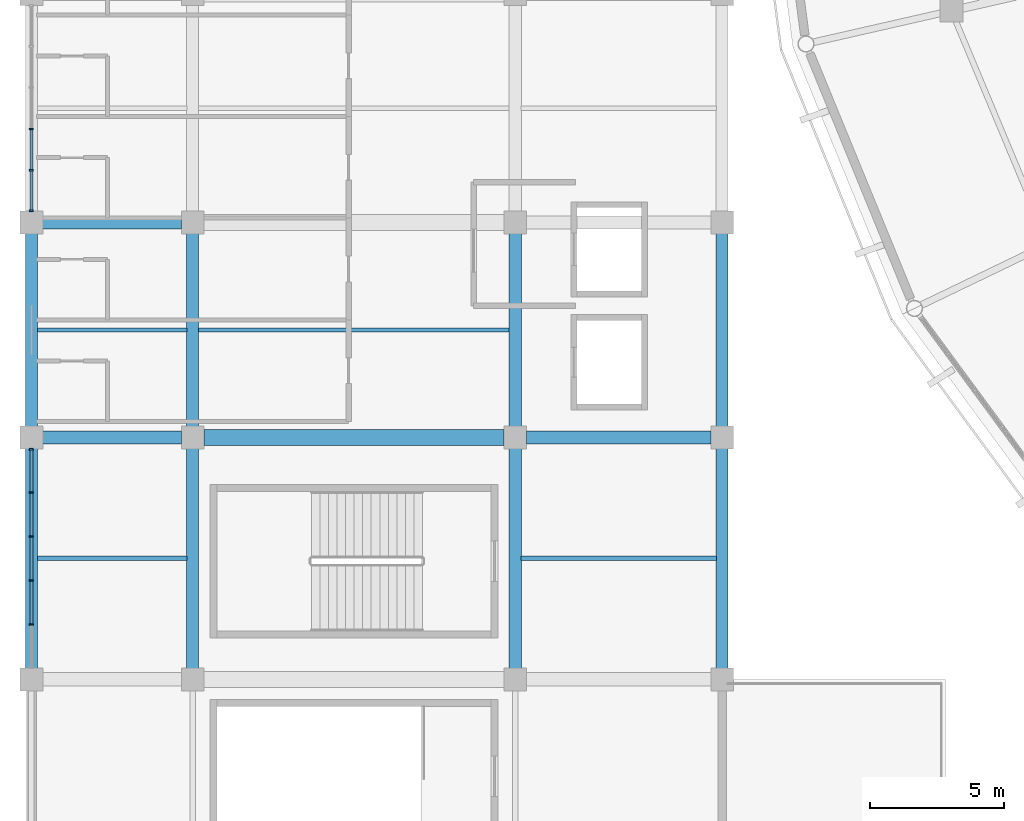
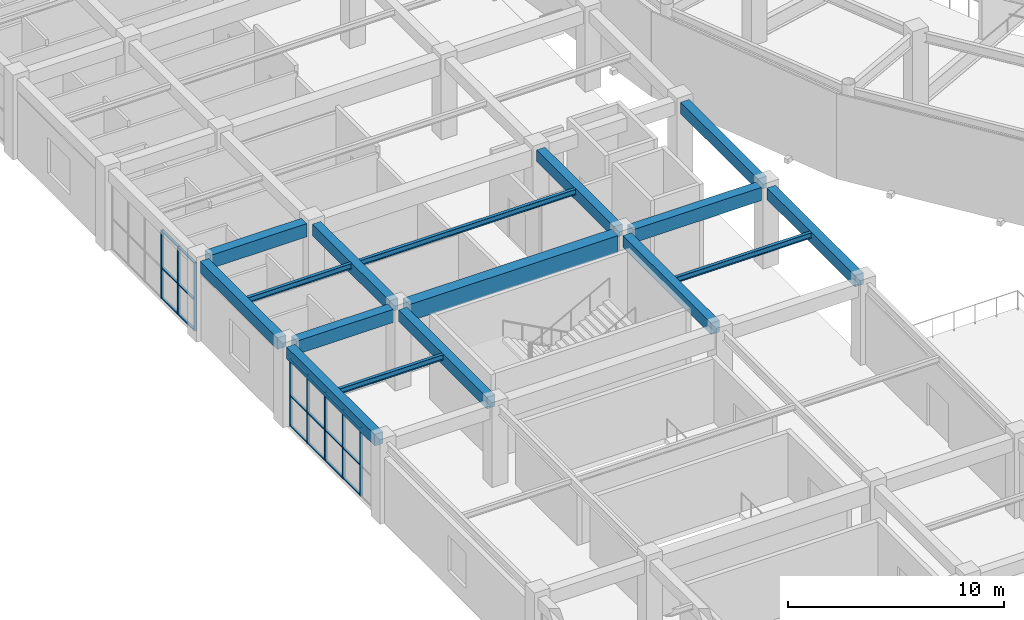
# One storey, part 25 of 122: 26 members, 16 beams, 2 elements without a shape of their own.
"""IFC4 building model written with IfcOpenShell, lengths in metres."""

from ifc_helpers import new_model, si_unit, direction, frame, origin, origin_2d, place, context, subcontext, project, spatial, rectangle, i_section, extrude, material, material_profile, profile_set, type_object, element, aggregate, save


model = new_model("IFC4")

# Units and contexts
model_context = context("Model", 3, precision=1e-05, world=origin(), true_north=direction((0.0, 1.0)))
body_context = subcontext(model_context, "Body", "Model", "MODEL_VIEW")
ifc_project = project(units=[si_unit("LENGTHUNIT", "METRE"), si_unit("AREAUNIT", "SQUARE_METRE"), si_unit("VOLUMEUNIT", "CUBIC_METRE"), si_unit("PLANEANGLEUNIT", "RADIAN"), si_unit("MASSUNIT", "GRAM", prefix="KILO")], contexts=[model_context])

# Site, building, storey
site_placement = place(None, origin())
site = spatial("IfcSite", under=ifc_project, at=site_placement, CompositionType="ELEMENT")
building_placement = place(site_placement, origin())
building = spatial("IfcBuilding", under=site, at=building_placement, Name="Cuetzalor Civic Arena", CompositionType="ELEMENT")
storey_placement = place(building_placement, frame((0.0, 0.0, 16.199951171875)))
storey = spatial("IfcBuildingStorey", under=building, at=storey_placement, Name="L03", CompositionType="ELEMENT", Elevation=16.199951171875)

# Beams
ifc_material_1 = material(Name="Concrete C40/50", Category="concrete")
ifc_material_profile_1 = material_profile(ifc_material_1, rectangle(XDim=0.5, YDim=0.75, at=origin_2d()), Name="RC 500x750")
ifc_profile_set_1 = profile_set([ifc_material_profile_1], Name="Concrete C40/50")
beam_type_1 = type_object("IfcBeamType", Name="ConcreteFrameBeam_500x750", PredefinedType="BEAM", material=ifc_profile_set_1)
beam_1_placement = place(storey_placement, frame((-81.5849609375, -25.0, 4.14501953125), z_axis=(1.0, 0.0, 0.0), x_axis=(0.0, 1.0, 0.0)))
element("IfcBeam", 1, at=beam_1_placement, inside=storey, type_object=beam_type_1, Name="Frame Girder V4W-L03-X0892", PredefinedType="BEAM", context=body_context, shape_type="SweptSolid", body=[
    extrude(rectangle(XDim=0.5, YDim=0.75, at=origin_2d()), origin(), (0.0, 0.0, 1.0), 5.169921875),
])
beam_2_placement = place(storey_placement, frame((-63.5849609375, -25.0, 4.14501953125), z_axis=(1.0, 0.0, 0.0), x_axis=(0.0, 1.0, 0.0)))
element("IfcBeam", 2, at=beam_2_placement, inside=storey, type_object=beam_type_1, Name="Frame Girder V4W-L03-X0894", PredefinedType="BEAM", context=body_context, shape_type="SweptSolid", body=[
    extrude(rectangle(XDim=0.5, YDim=0.75, at=origin_2d()), origin(), (0.0, 0.0, 1.0), 6.869873046875),
])
beam_3_placement = place(storey_placement, frame((-81.5849609375, -17.0, 4.14501953125), z_axis=(1.0, 0.0, 0.0), x_axis=(0.0, 1.0, 0.0)))
element("IfcBeam", 3, at=beam_3_placement, inside=storey, type_object=beam_type_1, Name="Frame Girder V4W-L03-X0895", PredefinedType="BEAM", context=body_context, shape_type="SweptSolid", body=[
    extrude(rectangle(XDim=0.5, YDim=0.75, at=origin_2d()), origin(), (0.0, 0.0, 1.0), 5.169921875),
])
ifc_material_2 = material(Name="Concrete C40/50", Category="concrete")
ifc_material_profile_2 = material_profile(ifc_material_2, rectangle(XDim=0.60009765625, YDim=0.949951171875, at=origin_2d()), Name="RC 600x950")
ifc_profile_set_2 = profile_set([ifc_material_profile_2], Name="Concrete C40/50")
beam_type_2 = type_object("IfcBeamType", Name="ConcreteFrameBeam_600x950", PredefinedType="BEAM", material=ifc_profile_set_2)
beam_4_placement = place(storey_placement, frame((-75.5849609375, -25.0, 4.045166015625), z_axis=(1.0, 0.0, 0.0), x_axis=(0.0, 1.0, 0.0)))
element("IfcBeam", 4, at=beam_4_placement, inside=storey, type_object=beam_type_2, Name="Frame Girder V4W-L03-X0893", PredefinedType="BEAM", context=body_context, shape_type="SweptSolid", body=[
    extrude(rectangle(XDim=0.60009765625, YDim=0.949951171875, at=origin_2d()), origin(), (0.0, 0.0, 1.0), 11.169921875),
])
ifc_material_3 = material(Name="Concrete C40/50", Category="concrete")
ifc_material_profile_3 = material_profile(ifc_material_3, rectangle(XDim=0.449951171875, YDim=0.64990234375, at=origin_2d()), Name="RC 450x650")
ifc_profile_set_3 = profile_set([ifc_material_profile_3], Name="Concrete C40/50")
beam_type_3 = type_object("IfcBeamType", Name="ConcreteTieBeam_450x650", PredefinedType="BEAM", material=ifc_profile_set_3)
beam_5_placement = place(storey_placement, frame((-82.0, -33.5849609375, 4.195068359375), z_axis=(0.0, 1.0, 0.0), x_axis=(-1.0, 0.0, 0.0)))
element("IfcBeam", 5, at=beam_5_placement, inside=storey, type_object=beam_type_3, Name="Frame Girder V4W-L03-Y0918", PredefinedType="BEAM", context=body_context, shape_type="SweptSolid", body=[
    extrude(rectangle(XDim=0.449951171875, YDim=0.64990234375, at=origin_2d()), origin(), (0.0, 0.0, 1.0), 8.169921875),
])
beam_6_placement = place(storey_placement, frame((-82.0, -24.5849609375, 4.195068359375), z_axis=(0.0, 1.0, 0.0), x_axis=(-1.0, 0.0, 0.0)))
element("IfcBeam", 6, at=beam_6_placement, inside=storey, type_object=beam_type_3, Name="Frame Girder V4W-L03-Y0919", PredefinedType="BEAM", context=body_context, shape_type="SweptSolid", body=[
    extrude(rectangle(XDim=0.449951171875, YDim=0.64990234375, at=origin_2d()), origin(), (0.0, 0.0, 1.0), 7.169921875),
])
beam_7_placement = place(storey_placement, frame((-76.0, -33.5849609375, 4.195068359375), z_axis=(0.0, 1.0, 0.0), x_axis=(-1.0, 0.0, 0.0)))
element("IfcBeam", 7, at=beam_7_placement, inside=storey, type_object=beam_type_3, Name="Frame Girder V4W-L03-Y0928", PredefinedType="BEAM", context=body_context, shape_type="SweptSolid", body=[
    extrude(rectangle(XDim=0.449951171875, YDim=0.64990234375, at=origin_2d()), origin(), (0.0, 0.0, 1.0), 8.169921875),
])
beam_8_placement = place(storey_placement, frame((-76.0, -24.5849609375, 4.195068359375), z_axis=(0.0, 1.0, 0.0), x_axis=(-1.0, 0.0, 0.0)))
element("IfcBeam", 8, at=beam_8_placement, inside=storey, type_object=beam_type_3, Name="Frame Girder V4W-L03-Y0929", PredefinedType="BEAM", context=body_context, shape_type="SweptSolid", body=[
    extrude(rectangle(XDim=0.449951171875, YDim=0.64990234375, at=origin_2d()), origin(), (0.0, 0.0, 1.0), 7.169921875),
])
beam_9_placement = place(storey_placement, frame((-64.0, -33.5849609375, 4.195068359375), z_axis=(0.0, 1.0, 0.0), x_axis=(-1.0, 0.0, 0.0)))
element("IfcBeam", 9, at=beam_9_placement, inside=storey, type_object=beam_type_3, Name="Frame Girder V4W-L03-Y0938", PredefinedType="BEAM", context=body_context, shape_type="SweptSolid", body=[
    extrude(rectangle(XDim=0.449951171875, YDim=0.64990234375, at=origin_2d()), origin(), (0.0, 0.0, 1.0), 8.169921875),
])
beam_10_placement = place(storey_placement, frame((-64.0, -24.5849609375, 4.195068359375), z_axis=(0.0, 1.0, 0.0), x_axis=(-1.0, 0.0, 0.0)))
element("IfcBeam", 10, at=beam_10_placement, inside=storey, type_object=beam_type_3, Name="Frame Girder V4W-L03-Y0939", PredefinedType="BEAM", context=body_context, shape_type="SweptSolid", body=[
    extrude(rectangle(XDim=0.449951171875, YDim=0.64990234375, at=origin_2d()), origin(), (0.0, 0.0, 1.0), 7.169921875),
])
beam_11_placement = place(storey_placement, frame((-56.300048828125, -33.5849609375, 4.195068359375), z_axis=(0.0, 1.0, 0.0), x_axis=(-1.0, 0.0, 0.0)))
element("IfcBeam", 11, at=beam_11_placement, inside=storey, type_object=beam_type_3, Name="Frame Girder V4W-L03-Y0948", PredefinedType="BEAM", context=body_context, shape_type="SweptSolid", body=[
    extrude(rectangle(XDim=0.449951171875, YDim=0.64990234375, at=origin_2d()), origin(), (0.0, 0.0, 1.0), 8.169921875),
])
beam_12_placement = place(storey_placement, frame((-56.300048828125, -24.5849609375, 4.195068359375), z_axis=(0.0, 1.0, 0.0), x_axis=(-1.0, 0.0, 0.0)))
element("IfcBeam", 12, at=beam_12_placement, inside=storey, type_object=beam_type_3, Name="Frame Girder V4W-L03-Y0949", PredefinedType="BEAM", context=body_context, shape_type="SweptSolid", body=[
    extrude(rectangle(XDim=0.449951171875, YDim=0.64990234375, at=origin_2d()), origin(), (0.0, 0.0, 1.0), 7.169921875),
])

# Curtain wall, members
ifc_material_4 = material(Name="Anodised dark bronze aluminium and low-E solar glass", Category="aluminium")
curtain_wall_type_1 = type_object("IfcCurtainWallType", Name="UnitisedCW_8200x3850", PredefinedType="USERDEFINED", material=ifc_material_4)
curtain_wall_1_placement = place(storey_placement, origin())
curtain_wall_1 = element("IfcCurtainWall", 13, at=curtain_wall_1_placement, inside=storey, type_object=curtain_wall_type_1, Name="V4W Suite Viewing Curtain Wall L03-119", ObjectType="UNITISED CURTAIN WALL", PredefinedType="USERDEFINED")
ifc_material_5 = material(Name="Anodised dark bronze aluminium", Category="aluminium")
ifc_material_profile_4 = material_profile(ifc_material_5, rectangle(XDim=0.06494140625, YDim=0.14990234375, at=origin_2d()), Name="ALU MULLION 65x150")
ifc_profile_set_4 = profile_set([ifc_material_profile_4], Name="Anodised dark bronze aluminium")
member_type_1 = type_object("IfcMemberType", Name="CurtainWallMullion_60x150", PredefinedType="MULLION", material=ifc_profile_set_4)
member_1_placement = place(storey_placement, frame((-82.0, -31.955810546875, 0.0), z_axis=(0.0, 0.0, 1.0), x_axis=(0.0, 1.0, 0.0)))
member_1 = element("IfcMember", 14, at=member_1_placement, type_object=member_type_1, Name="CW-45 mullion 2", PredefinedType="MULLION", context=body_context, shape_type="SweptSolid", body=[
    extrude(rectangle(XDim=0.06494140625, YDim=0.14990234375, at=origin_2d()), origin(), (0.0, 0.0, 1.0), 3.860107421875),
])
member_2_placement = place(storey_placement, frame((-82.0, -30.318603515625, 0.0), z_axis=(0.0, 0.0, 1.0), x_axis=(0.0, 1.0, 0.0)))
member_2 = element("IfcMember", 15, at=member_2_placement, type_object=member_type_1, Name="CW-45 mullion 3", PredefinedType="MULLION", context=body_context, shape_type="SweptSolid", body=[
    extrude(rectangle(XDim=0.06494140625, YDim=0.14990234375, at=origin_2d()), origin(), (0.0, 0.0, 1.0), 3.860107421875),
])
member_3_placement = place(storey_placement, frame((-82.0, -28.681396484375, 0.0), z_axis=(0.0, 0.0, 1.0), x_axis=(0.0, 1.0, 0.0)))
member_3 = element("IfcMember", 16, at=member_3_placement, type_object=member_type_1, Name="CW-45 mullion 4", PredefinedType="MULLION", context=body_context, shape_type="SweptSolid", body=[
    extrude(rectangle(XDim=0.06494140625, YDim=0.14990234375, at=origin_2d()), origin(), (0.0, 0.0, 1.0), 3.860107421875),
])
member_4_placement = place(storey_placement, frame((-82.0, -27.044189453125, 0.0), z_axis=(0.0, 0.0, 1.0), x_axis=(0.0, 1.0, 0.0)))
member_4 = element("IfcMember", 17, at=member_4_placement, type_object=member_type_1, Name="CW-45 mullion 5", PredefinedType="MULLION", context=body_context, shape_type="SweptSolid", body=[
    extrude(rectangle(XDim=0.06494140625, YDim=0.14990234375, at=origin_2d()), origin(), (0.0, 0.0, 1.0), 3.860107421875),
])
member_5_placement = place(storey_placement, frame((-82.0, -25.439453125, 0.0), z_axis=(0.0, 0.0, 1.0), x_axis=(0.0, 1.0, 0.0)))
member_5 = element("IfcMember", 18, at=member_5_placement, type_object=member_type_1, Name="CW-45 mullion 6", PredefinedType="MULLION", context=body_context, shape_type="SweptSolid", body=[
    extrude(rectangle(XDim=0.06494140625, YDim=0.14990234375, at=origin_2d()), origin(), (0.0, 0.0, 1.0), 3.860107421875),
])

ifc_material_6 = material(Name="Anodised dark bronze aluminium and low-E solar glass", Category="aluminium")
curtain_wall_type_2 = type_object("IfcCurtainWallType", Name="UnitisedCW_7700x3850", PredefinedType="USERDEFINED", material=ifc_material_6)
curtain_wall_2_placement = place(storey_placement, origin())
curtain_wall_2 = element("IfcCurtainWall", 19, at=curtain_wall_2_placement, inside=storey, type_object=curtain_wall_type_2, Name="V4W Suite Viewing Curtain Wall L03-120", ObjectType="UNITISED CURTAIN WALL", PredefinedType="USERDEFINED")
member_6_placement = place(storey_placement, frame((-82.0, -16.560546875, 0.0), z_axis=(0.0, 0.0, 1.0), x_axis=(0.0, 1.0, 0.0)))
member_6 = element("IfcMember", 20, at=member_6_placement, type_object=member_type_1, Name="CW-42 mullion 1", PredefinedType="MULLION", context=body_context, shape_type="SweptSolid", body=[
    extrude(rectangle(XDim=0.06494140625, YDim=0.14990234375, at=origin_2d()), origin(), (0.0, 0.0, 1.0), 3.860107421875),
])
member_7_placement = place(storey_placement, frame((-82.0, -15.055908203125, 0.0), z_axis=(0.0, 0.0, 1.0), x_axis=(0.0, 1.0, 0.0)))
member_7 = element("IfcMember", 21, at=member_7_placement, type_object=member_type_1, Name="CW-42 mullion 2", PredefinedType="MULLION", context=body_context, shape_type="SweptSolid", body=[
    extrude(rectangle(XDim=0.06494140625, YDim=0.14990234375, at=origin_2d()), origin(), (0.0, 0.0, 1.0), 3.860107421875),
])
member_8_placement = place(storey_placement, frame((-82.0, -13.5185546875, 0.0), z_axis=(0.0, 0.0, 1.0), x_axis=(0.0, 1.0, 0.0)))
member_8 = element("IfcMember", 22, at=member_8_placement, type_object=member_type_1, Name="CW-42 mullion 3", PredefinedType="MULLION", context=body_context, shape_type="SweptSolid", body=[
    extrude(rectangle(XDim=0.06494140625, YDim=0.14990234375, at=origin_2d()), origin(), (0.0, 0.0, 1.0), 3.860107421875),
])

# Member
ifc_material_7 = material(Name="Anodised dark bronze aluminium", Category="aluminium")
ifc_material_profile_5 = material_profile(ifc_material_7, rectangle(XDim=0.1201171875, YDim=0.06494140625, at=origin_2d()), Name="ALU TRANSOM 65x120")
ifc_profile_set_5 = profile_set([ifc_material_profile_5], Name="Anodised dark bronze aluminium")
member_type_2 = type_object("IfcMemberType", Name="CurtainWallTransom_60x120", PredefinedType="USERDEFINED", material=ifc_profile_set_5)
member_9_placement = place(storey_placement, frame((-82.0, -31.92333984375, 0.032470703125), z_axis=(0.0, 1.0, 0.0), x_axis=(-1.0, 0.0, 0.0)))
member_9 = element("IfcMember", 23, at=member_9_placement, type_object=member_type_2, Name="CW-45 transom 2.1", ObjectType="TRANSOM", PredefinedType="USERDEFINED", context=body_context, shape_type="SweptSolid", body=[
    extrude(rectangle(XDim=0.1201171875, YDim=0.06494140625, at=origin_2d()), origin(), (0.0, 0.0, 1.0), 1.572265625),
])

member_10_placement = place(storey_placement, frame((-82.0, -31.92333984375, 1.737060546875), z_axis=(0.0, 1.0, 0.0), x_axis=(-1.0, 0.0, 0.0)))
member_10 = element("IfcMember", 24, at=member_10_placement, type_object=member_type_2, Name="CW-45 transom 2.2", ObjectType="TRANSOM", PredefinedType="USERDEFINED", context=body_context, shape_type="SweptSolid", body=[
    extrude(rectangle(XDim=0.1201171875, YDim=0.06494140625, at=origin_2d()), origin(), (0.0, 0.0, 1.0), 1.572265625),
])

member_11_placement = place(storey_placement, frame((-82.0, -31.92333984375, 3.82763671875), z_axis=(0.0, 1.0, 0.0), x_axis=(-1.0, 0.0, 0.0)))
member_11 = element("IfcMember", 25, at=member_11_placement, type_object=member_type_2, Name="CW-45 transom 2.3", ObjectType="TRANSOM", PredefinedType="USERDEFINED", context=body_context, shape_type="SweptSolid", body=[
    extrude(rectangle(XDim=0.1201171875, YDim=0.06494140625, at=origin_2d()), origin(), (0.0, 0.0, 1.0), 1.572265625),
])

member_12_placement = place(storey_placement, frame((-82.0, -30.2861328125, 0.032470703125), z_axis=(0.0, 1.0, 0.0), x_axis=(-1.0, 0.0, 0.0)))
member_12 = element("IfcMember", 26, at=member_12_placement, type_object=member_type_2, Name="CW-45 transom 3.1", ObjectType="TRANSOM", PredefinedType="USERDEFINED", context=body_context, shape_type="SweptSolid", body=[
    extrude(rectangle(XDim=0.1201171875, YDim=0.06494140625, at=origin_2d()), origin(), (0.0, 0.0, 1.0), 1.572265625),
])

member_13_placement = place(storey_placement, frame((-82.0, -30.2861328125, 1.737060546875), z_axis=(0.0, 1.0, 0.0), x_axis=(-1.0, 0.0, 0.0)))
member_13 = element("IfcMember", 27, at=member_13_placement, type_object=member_type_2, Name="CW-45 transom 3.2", ObjectType="TRANSOM", PredefinedType="USERDEFINED", context=body_context, shape_type="SweptSolid", body=[
    extrude(rectangle(XDim=0.1201171875, YDim=0.06494140625, at=origin_2d()), origin(), (0.0, 0.0, 1.0), 1.572265625),
])

member_14_placement = place(storey_placement, frame((-82.0, -30.2861328125, 3.82763671875), z_axis=(0.0, 1.0, 0.0), x_axis=(-1.0, 0.0, 0.0)))
member_14 = element("IfcMember", 28, at=member_14_placement, type_object=member_type_2, Name="CW-45 transom 3.3", ObjectType="TRANSOM", PredefinedType="USERDEFINED", context=body_context, shape_type="SweptSolid", body=[
    extrude(rectangle(XDim=0.1201171875, YDim=0.06494140625, at=origin_2d()), origin(), (0.0, 0.0, 1.0), 1.572265625),
])

member_15_placement = place(storey_placement, frame((-82.0, -28.64892578125, 0.032470703125), z_axis=(0.0, 1.0, 0.0), x_axis=(-1.0, 0.0, 0.0)))
member_15 = element("IfcMember", 29, at=member_15_placement, type_object=member_type_2, Name="CW-45 transom 4.1", ObjectType="TRANSOM", PredefinedType="USERDEFINED", context=body_context, shape_type="SweptSolid", body=[
    extrude(rectangle(XDim=0.1201171875, YDim=0.06494140625, at=origin_2d()), origin(), (0.0, 0.0, 1.0), 1.572265625),
])

member_16_placement = place(storey_placement, frame((-82.0, -28.64892578125, 1.737060546875), z_axis=(0.0, 1.0, 0.0), x_axis=(-1.0, 0.0, 0.0)))
member_16 = element("IfcMember", 30, at=member_16_placement, type_object=member_type_2, Name="CW-45 transom 4.2", ObjectType="TRANSOM", PredefinedType="USERDEFINED", context=body_context, shape_type="SweptSolid", body=[
    extrude(rectangle(XDim=0.1201171875, YDim=0.06494140625, at=origin_2d()), origin(), (0.0, 0.0, 1.0), 1.572265625),
])

member_17_placement = place(storey_placement, frame((-82.0, -28.64892578125, 3.82763671875), z_axis=(0.0, 1.0, 0.0), x_axis=(-1.0, 0.0, 0.0)))
member_17 = element("IfcMember", 31, at=member_17_placement, type_object=member_type_2, Name="CW-45 transom 4.3", ObjectType="TRANSOM", PredefinedType="USERDEFINED", context=body_context, shape_type="SweptSolid", body=[
    extrude(rectangle(XDim=0.1201171875, YDim=0.06494140625, at=origin_2d()), origin(), (0.0, 0.0, 1.0), 1.572265625),
])

member_18_placement = place(storey_placement, frame((-82.0, -27.01171875, 0.032470703125), z_axis=(0.0, 1.0, 0.0), x_axis=(-1.0, 0.0, 0.0)))
member_18 = element("IfcMember", 32, at=member_18_placement, type_object=member_type_2, Name="CW-45 transom 5.1", ObjectType="TRANSOM", PredefinedType="USERDEFINED", context=body_context, shape_type="SweptSolid", body=[
    extrude(rectangle(XDim=0.1201171875, YDim=0.06494140625, at=origin_2d()), origin(), (0.0, 0.0, 1.0), 1.539794921875),
])

member_19_placement = place(storey_placement, frame((-82.0, -27.01171875, 1.737060546875), z_axis=(0.0, 1.0, 0.0), x_axis=(-1.0, 0.0, 0.0)))
member_19 = element("IfcMember", 33, at=member_19_placement, type_object=member_type_2, Name="CW-45 transom 5.2", ObjectType="TRANSOM", PredefinedType="USERDEFINED", context=body_context, shape_type="SweptSolid", body=[
    extrude(rectangle(XDim=0.1201171875, YDim=0.06494140625, at=origin_2d()), origin(), (0.0, 0.0, 1.0), 1.539794921875),
])

member_20_placement = place(storey_placement, frame((-82.0, -27.01171875, 3.82763671875), z_axis=(0.0, 1.0, 0.0), x_axis=(-1.0, 0.0, 0.0)))
member_20 = element("IfcMember", 34, at=member_20_placement, type_object=member_type_2, Name="CW-45 transom 5.3", ObjectType="TRANSOM", PredefinedType="USERDEFINED", context=body_context, shape_type="SweptSolid", body=[
    extrude(rectangle(XDim=0.1201171875, YDim=0.06494140625, at=origin_2d()), origin(), (0.0, 0.0, 1.0), 1.539794921875),
])

aggregate(curtain_wall_1, [member_1, member_2, member_3, member_4, member_5, member_9, member_10, member_11, member_12, member_13, member_14, member_15, member_16, member_17, member_18, member_19, member_20])

member_21_placement = place(storey_placement, frame((-82.0, -16.528076171875, 0.032470703125), z_axis=(0.0, 1.0, 0.0), x_axis=(-1.0, 0.0, 0.0)))
member_21 = element("IfcMember", 35, at=member_21_placement, type_object=member_type_2, Name="CW-42 transom 1.1", ObjectType="TRANSOM", PredefinedType="USERDEFINED", context=body_context, shape_type="SweptSolid", body=[
    extrude(rectangle(XDim=0.1201171875, YDim=0.06494140625, at=origin_2d()), origin(), (0.0, 0.0, 1.0), 1.439697265625),
])

member_22_placement = place(storey_placement, frame((-82.0, -16.528076171875, 1.737060546875), z_axis=(0.0, 1.0, 0.0), x_axis=(-1.0, 0.0, 0.0)))
member_22 = element("IfcMember", 36, at=member_22_placement, type_object=member_type_2, Name="CW-42 transom 1.2", ObjectType="TRANSOM", PredefinedType="USERDEFINED", context=body_context, shape_type="SweptSolid", body=[
    extrude(rectangle(XDim=0.1201171875, YDim=0.06494140625, at=origin_2d()), origin(), (0.0, 0.0, 1.0), 1.439697265625),
])

member_23_placement = place(storey_placement, frame((-82.0, -16.528076171875, 3.82763671875), z_axis=(0.0, 1.0, 0.0), x_axis=(-1.0, 0.0, 0.0)))
member_23 = element("IfcMember", 37, at=member_23_placement, type_object=member_type_2, Name="CW-42 transom 1.3", ObjectType="TRANSOM", PredefinedType="USERDEFINED", context=body_context, shape_type="SweptSolid", body=[
    extrude(rectangle(XDim=0.1201171875, YDim=0.06494140625, at=origin_2d()), origin(), (0.0, 0.0, 1.0), 1.439697265625),
])

member_24_placement = place(storey_placement, frame((-82.0, -15.023193359375, 0.032470703125), z_axis=(0.0, 1.0, 0.0), x_axis=(-1.0, 0.0, 0.0)))
member_24 = element("IfcMember", 38, at=member_24_placement, type_object=member_type_2, Name="CW-42 transom 2.1", ObjectType="TRANSOM", PredefinedType="USERDEFINED", context=body_context, shape_type="SweptSolid", body=[
    extrude(rectangle(XDim=0.1201171875, YDim=0.06494140625, at=origin_2d()), origin(), (0.0, 0.0, 1.0), 1.47216796875),
])

member_25_placement = place(storey_placement, frame((-82.0, -15.023193359375, 1.737060546875), z_axis=(0.0, 1.0, 0.0), x_axis=(-1.0, 0.0, 0.0)))
member_25 = element("IfcMember", 39, at=member_25_placement, type_object=member_type_2, Name="CW-42 transom 2.2", ObjectType="TRANSOM", PredefinedType="USERDEFINED", context=body_context, shape_type="SweptSolid", body=[
    extrude(rectangle(XDim=0.1201171875, YDim=0.06494140625, at=origin_2d()), origin(), (0.0, 0.0, 1.0), 1.47216796875),
])

member_26_placement = place(storey_placement, frame((-82.0, -15.023193359375, 3.82763671875), z_axis=(0.0, 1.0, 0.0), x_axis=(-1.0, 0.0, 0.0)))
member_26 = element("IfcMember", 40, at=member_26_placement, type_object=member_type_2, Name="CW-42 transom 2.3", ObjectType="TRANSOM", PredefinedType="USERDEFINED", context=body_context, shape_type="SweptSolid", body=[
    extrude(rectangle(XDim=0.1201171875, YDim=0.06494140625, at=origin_2d()), origin(), (0.0, 0.0, 1.0), 1.47216796875),
])

aggregate(curtain_wall_2, [member_6, member_7, member_8, member_21, member_22, member_23, member_24, member_25, member_26])

# Beams
ifc_material_8 = material(Name="Steel S355", Category="steel")
ifc_material_profile_6 = material_profile(ifc_material_8, i_section(OverallWidth=0.166015625, OverallDepth=0.31298828125, WebThickness=0.006591796875, FlangeThickness=0.01123046875, at=origin_2d()), Name="W310x45")
ifc_profile_set_6 = profile_set([ifc_material_profile_6], Name="Steel S355")
beam_type_4 = type_object("IfcBeamType", Name="SecondaryRoofJoist_W310", PredefinedType="JOIST", material=ifc_profile_set_6)
for number, where, z_axis, x_axis, name in (
    (41, (-81.782958984375, -29.5, 4.363525390625), (1.0, 0.0, 0.0), (0.0, 1.0, 0.0), "Secondary Floor Joist V4W-L03-0269"),
    (42, (-81.782958984375, -21.0, 4.363525390625), (1.0, 0.0, 0.0), (0.0, 1.0, 0.0), "Secondary Floor Joist V4W-L03-0270"),
):
    element("IfcBeam", number, at=place(storey_placement, frame(where, z_axis=z_axis, x_axis=x_axis)), inside=storey, type_object=beam_type_4, Name=name, PredefinedType="JOIST", context=body_context, shape_type="SweptSolid", body=[
        extrude(i_section(OverallWidth=0.166015625, OverallDepth=0.31298828125, WebThickness=0.006591796875, FlangeThickness=0.01123046875, at=origin_2d()), origin(), (0.0, 0.0, 1.0), 5.56591796875),
    ])
beam_13_placement = place(storey_placement, frame((-75.782958984375, -21.0, 4.363525390625), z_axis=(1.0, 0.0, 0.0), x_axis=(0.0, 1.0, 0.0)))
element("IfcBeam", 43, at=beam_13_placement, inside=storey, type_object=beam_type_4, Name="Secondary Floor Joist V4W-L03-0278", PredefinedType="JOIST", context=body_context, shape_type="SweptSolid", body=[
    extrude(i_section(OverallWidth=0.166015625, OverallDepth=0.31298828125, WebThickness=0.006591796875, FlangeThickness=0.01123046875, at=origin_2d()), origin(), (0.0, 0.0, 1.0), 11.56591796875),
])
beam_14_placement = place(storey_placement, frame((-63.782958984375, -29.5, 4.363525390625), z_axis=(1.0, 0.0, 0.0), x_axis=(0.0, 1.0, 0.0)))
element("IfcBeam", 44, at=beam_14_placement, inside=storey, type_object=beam_type_4, Name="Secondary Floor Joist V4W-L03-0286", PredefinedType="JOIST", context=body_context, shape_type="SweptSolid", body=[
    extrude(i_section(OverallWidth=0.166015625, OverallDepth=0.31298828125, WebThickness=0.006591796875, FlangeThickness=0.01123046875, at=origin_2d()), origin(), (0.0, 0.0, 1.0), 7.265869140625),
])

save(model, "model.ifc")
